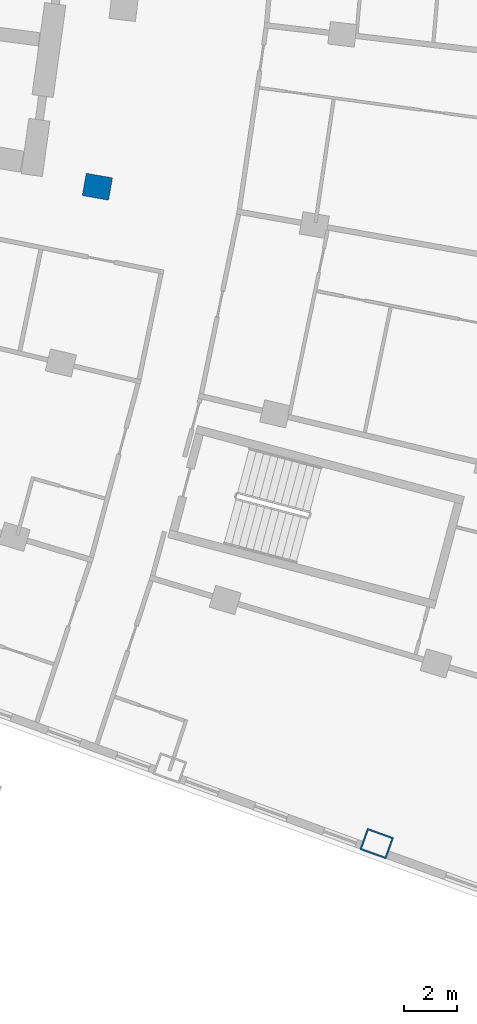
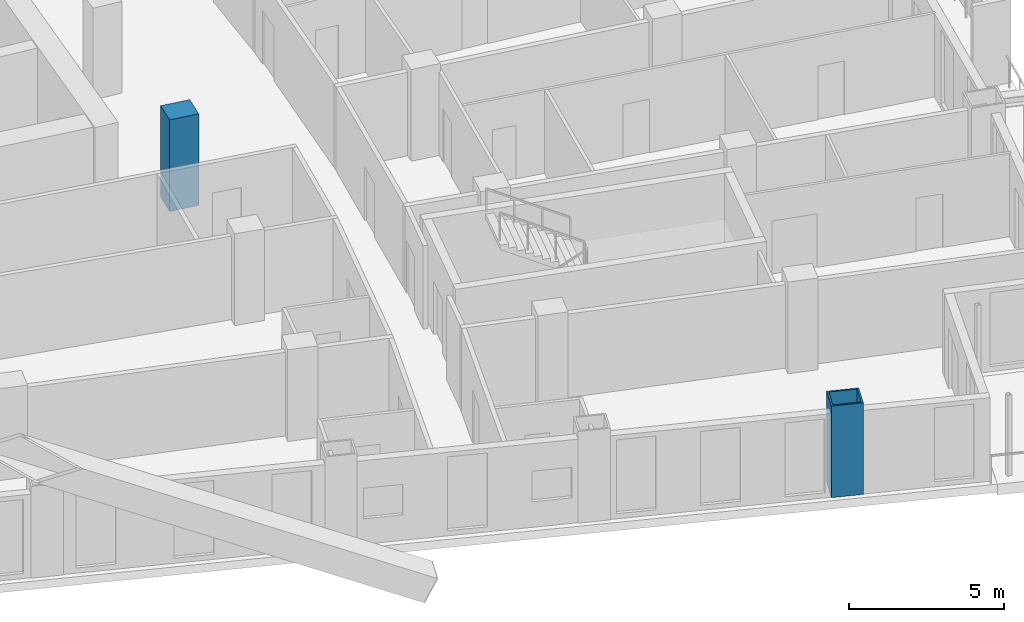
# One storey, part 4 of 25: 2 columns.
"""IFC4 building model written with IfcOpenShell, lengths in metres."""

from ifc_helpers import new_model, si_unit, direction, frame, origin, origin_2d, place, context, subcontext, project, spatial, rectangle, hollow_rectangle, extrude, material, material_profile, profile_set, type_object, element, save


model = new_model("IFC4")

# Units and contexts
model_context = context("Model", 3, precision=1e-05, world=origin(), true_north=direction((0.0, 1.0)))
body_context = subcontext(model_context, "Body", "Model", "MODEL_VIEW")
ifc_project = project(units=[si_unit("LENGTHUNIT", "METRE"), si_unit("AREAUNIT", "SQUARE_METRE"), si_unit("VOLUMEUNIT", "CUBIC_METRE"), si_unit("PLANEANGLEUNIT", "RADIAN"), si_unit("MASSUNIT", "GRAM", prefix="KILO")], contexts=[model_context])

# Site, building, storey
site_placement = place(None, origin())
site = spatial("IfcSite", under=ifc_project, at=site_placement, CompositionType="ELEMENT")
building_placement = place(site_placement, origin())
building = spatial("IfcBuilding", under=site, at=building_placement, Name="Alderwake Tower", CompositionType="ELEMENT")
storey_placement = place(building_placement, frame((0.0, 0.0, 114.800048828125)))
storey = spatial("IfcBuildingStorey", under=building, at=storey_placement, Name="L28", CompositionType="ELEMENT", Elevation=114.800048828125)

# Columns
ifc_material_1 = material(Name="Steel ASTM A572 Grade 50 concrete filled C70/85", Category="concrete")
ifc_material_profile_1 = material_profile(ifc_material_1, hollow_rectangle(XDim=0.85009765625, YDim=1.050048828125, WallThickness=0.06005859375, at=origin_2d()), Name="BOX 1050X850X60")
ifc_profile_set_1 = profile_set([ifc_material_profile_1], Name="Steel ASTM A572 Grade 50 concrete filled C70/85")
column_type_1 = type_object("IfcColumnType", Name="End column Z2", PredefinedType="COLUMN", material=ifc_profile_set_1)
column_1_placement = place(storey_placement, frame((44.514892578125, 16.187255859375, 0.0), z_axis=(0.0, 0.0, 1.0), x_axis=(0.338634462954, 0.940918009446, 0.0)))
element("IfcColumn", 1, at=column_1_placement, inside=storey, type_object=column_type_1, Name="Column R01-C4", PredefinedType="COLUMN", context=body_context, shape_type="SweptSolid", body=[
    extrude(hollow_rectangle(XDim=0.85009765625, YDim=1.050048828125, WallThickness=0.06005859375, at=origin_2d()), origin(), (0.0, 0.0, 1.0), 3.599853515625),
])
ifc_material_2 = material(Name="Concrete C70/85", Category="concrete")
ifc_material_profile_2 = material_profile(ifc_material_2, rectangle(XDim=0.85009765625, YDim=1.0, at=origin_2d()), Name="RC 1000X850")
ifc_profile_set_2 = profile_set([ifc_material_profile_2], Name="Concrete C70/85")
column_type_2 = type_object("IfcColumnType", Name="Interior column Z2", PredefinedType="COLUMN", material=ifc_profile_set_2)
column_2_placement = place(storey_placement, frame((34.03125, 40.83837890625, 0.0), z_axis=(0.0, 0.0, 1.0), x_axis=(0.174108800747, 0.984726421654, 0.0)))
element("IfcColumn", 2, at=column_2_placement, inside=storey, type_object=column_type_2, Name="Column R04-C2", PredefinedType="COLUMN", context=body_context, shape_type="SweptSolid", body=[
    extrude(rectangle(XDim=0.85009765625, YDim=1.0, at=origin_2d()), origin(), (0.0, 0.0, 1.0), 3.599853515625),
])

save(model, "model.ifc")
